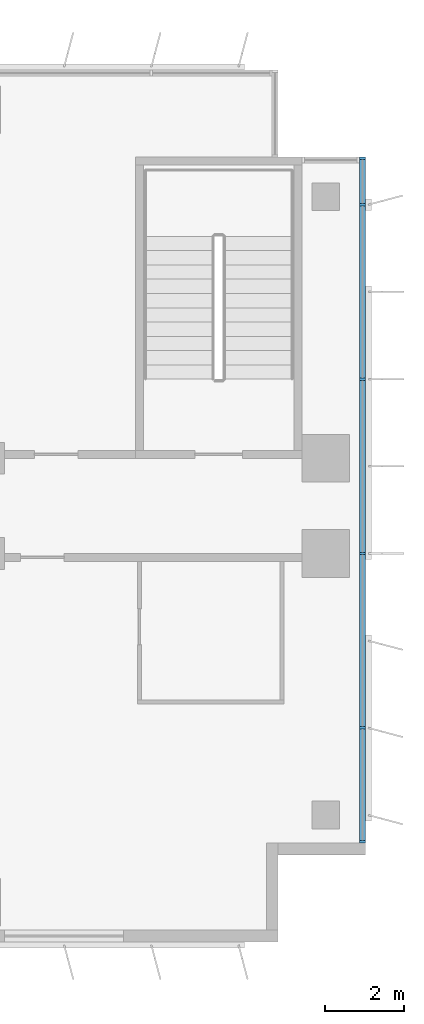
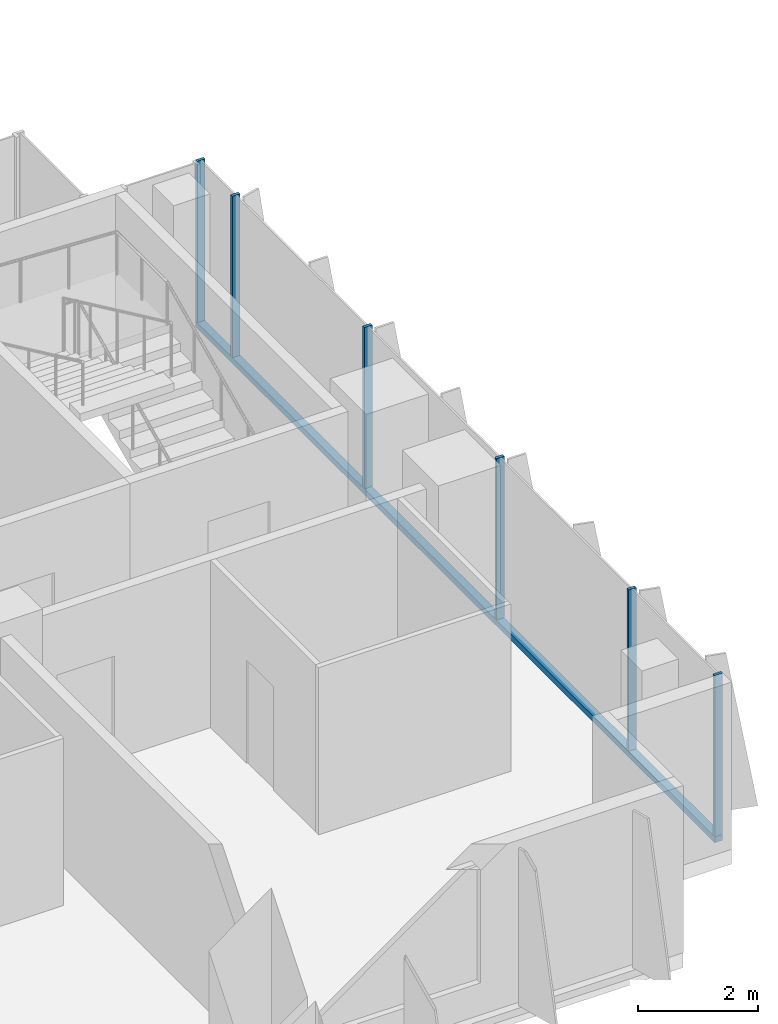
# One storey, part 8 of 22: 7 members, 1 element without a shape of its own.
"""IFC4 building model written with IfcOpenShell, lengths in metres."""

from ifc_helpers import new_model, si_unit, direction, frame, origin, origin_2d, place, context, subcontext, project, spatial, rectangle, extrude, source, transform, mapped, material, material_profile, profile_set, type_object, element, aggregate, save


model = new_model("IFC4")

# Units and contexts
model_context = context("Model", 3, precision=1e-05, world=origin(), true_north=direction((0.0, 1.0)))
body_context = subcontext(model_context, "Body", "Model", "MODEL_VIEW")
ifc_project = project(units=[si_unit("LENGTHUNIT", "METRE"), si_unit("AREAUNIT", "SQUARE_METRE"), si_unit("VOLUMEUNIT", "CUBIC_METRE"), si_unit("PLANEANGLEUNIT", "RADIAN"), si_unit("MASSUNIT", "GRAM", prefix="KILO")], contexts=[model_context])

# Site, building, storey
site_placement = place(None, origin())
site = spatial("IfcSite", under=ifc_project, at=site_placement, CompositionType="ELEMENT")
building_placement = place(site_placement, origin())
building = spatial("IfcBuilding", under=site, at=building_placement, Name="Kemantara Hotel Tower", CompositionType="ELEMENT")
storey_placement = place(building_placement, frame((0.0, 0.0, 122.199951171875)))
storey = spatial("IfcBuildingStorey", under=building, at=storey_placement, Name="L29", CompositionType="ELEMENT", Elevation=122.199951171875)

# Curtain wall, members
ifc_material_1 = material(Name="Low-E tinted double insulated glass 36 mm", Category="glass")
curtain_wall_type = type_object("IfcCurtainWallType", Name="TOWER CURTAIN WALL, FRONT FACES", PredefinedType="USERDEFINED", material=ifc_material_1)
curtain_wall_placement = place(storey_placement, origin())
curtain_wall = element("IfcCurtainWall", 1, at=curtain_wall_placement, inside=storey, type_object=curtain_wall_type, Name="CW4 L29 T2-R10-1", ObjectType="TOWER CURTAIN WALL, FRONT FACES", PredefinedType="USERDEFINED")
ifc_material_2 = material(Name="Aluminium 6063-T6 bronze anodised", Category="aluminium")
ifc_material_profile_1 = material_profile(ifc_material_2, rectangle(XDim=0.14990234375, YDim=0.1201171875, at=origin_2d()), Name="TOWER CURTAIN WALL, FRONT FACES TRANSOM")
ifc_profile_set_1 = profile_set([ifc_material_profile_1], Name="Aluminium 6063-T6 bronze anodised")
member_type_1 = type_object("IfcMemberType", Name="TOWER CURTAIN WALL, FRONT FACES TRANSOM", PredefinedType="USERDEFINED", material=ifc_profile_set_1)
member_1_placement = place(storey_placement, frame((63.52490234375, 2.5, 0.06005859375), z_axis=(0.0, 1.0, 0.0), x_axis=(-1.0, 0.0, 0.0)))
member_1 = element("IfcMember", 2, at=member_1_placement, type_object=member_type_1, Name="CW4 sill transom T2-R10-1", ObjectType="TRANSOM", PredefinedType="USERDEFINED", context=body_context, shape_type="SweptSolid", body=[
    extrude(rectangle(XDim=0.14990234375, YDim=0.1201171875, at=origin_2d()), origin(), (0.0, 0.0, 1.0), 17.300048828125),
])
ifc_material_profile_2 = material_profile(ifc_material_2, rectangle(XDim=0.14990234375, YDim=0.06005859375, at=origin_2d()), Name="TOWER CURTAIN WALL, FRONT FACES MULLION")
ifc_profile_set_2 = profile_set([ifc_material_profile_2], Name="Aluminium 6063-T6 bronze anodised")
member_type_2 = type_object("IfcMemberType", Name="TOWER CURTAIN WALL, FRONT FACES MULLION", PredefinedType="MULLION", material=ifc_profile_set_2)
shared_shape = source(origin(), body_context, "Body", "SweptSolid", [
    extrude(rectangle(XDim=0.14990234375, YDim=0.06005859375, at=origin_2d()), origin(), (0.0, 0.0, 1.0), 3.280029296875),
])
member_2_placement = place(storey_placement, frame((63.52490234375, 2.530029296875, 0.1201171875), z_axis=(0.0, 0.0, 1.0), x_axis=(-1.0, 0.0, 0.0)))
member_2 = element("IfcMember", 3, at=member_2_placement, type_object=member_type_2, Name="CW4 mullion T2-R10-1.1", PredefinedType="MULLION", context=body_context, shape_type="MappedRepresentation", body=[
    mapped(shared_shape, transform((0.0, 0.0, 0.0))),
])
member_3_placement = place(storey_placement, frame((63.52490234375, 5.39990234375, 0.1201171875), z_axis=(0.0, 0.0, 1.0), x_axis=(-1.0, 0.0, 0.0)))
member_3 = element("IfcMember", 4, at=member_3_placement, type_object=member_type_2, Name="CW4 mullion T2-R10-1.2", PredefinedType="MULLION", context=body_context, shape_type="MappedRepresentation", body=[
    mapped(shared_shape, transform((0.0, 0.0, 0.0))),
])
member_4_placement = place(storey_placement, frame((63.52490234375, 9.800048828125, 0.1201171875), z_axis=(0.0, 0.0, 1.0), x_axis=(-1.0, 0.0, 0.0)))
member_4 = element("IfcMember", 5, at=member_4_placement, type_object=member_type_2, Name="CW4 mullion T2-R10-1.3", PredefinedType="MULLION", context=body_context, shape_type="MappedRepresentation", body=[
    mapped(shared_shape, transform((0.0, 0.0, 0.0))),
])
member_5_placement = place(storey_placement, frame((63.52490234375, 14.199951171875, 0.1201171875), z_axis=(0.0, 0.0, 1.0), x_axis=(-1.0, 0.0, 0.0)))
member_5 = element("IfcMember", 6, at=member_5_placement, type_object=member_type_2, Name="CW4 mullion T2-R10-1.4", PredefinedType="MULLION", context=body_context, shape_type="MappedRepresentation", body=[
    mapped(shared_shape, transform((0.0, 0.0, 0.0))),
])
member_6_placement = place(storey_placement, frame((63.52490234375, 18.60009765625, 0.1201171875), z_axis=(0.0, 0.0, 1.0), x_axis=(-1.0, 0.0, 0.0)))
member_6 = element("IfcMember", 7, at=member_6_placement, type_object=member_type_2, Name="CW4 mullion T2-R10-1.5", PredefinedType="MULLION", context=body_context, shape_type="MappedRepresentation", body=[
    mapped(shared_shape, transform((0.0, 0.0, 0.0))),
])
member_7_placement = place(storey_placement, frame((63.52490234375, 19.77001953125, 0.1201171875), z_axis=(0.0, 0.0, 1.0), x_axis=(-1.0, 0.0, 0.0)))
member_7 = element("IfcMember", 8, at=member_7_placement, type_object=member_type_2, Name="CW4 mullion T2-R10-1.6", PredefinedType="MULLION", context=body_context, shape_type="MappedRepresentation", body=[
    mapped(shared_shape, transform((0.0, 0.0, 0.0))),
])
aggregate(curtain_wall, [member_1, member_2, member_3, member_4, member_5, member_6, member_7])

save(model, "model.ifc")
